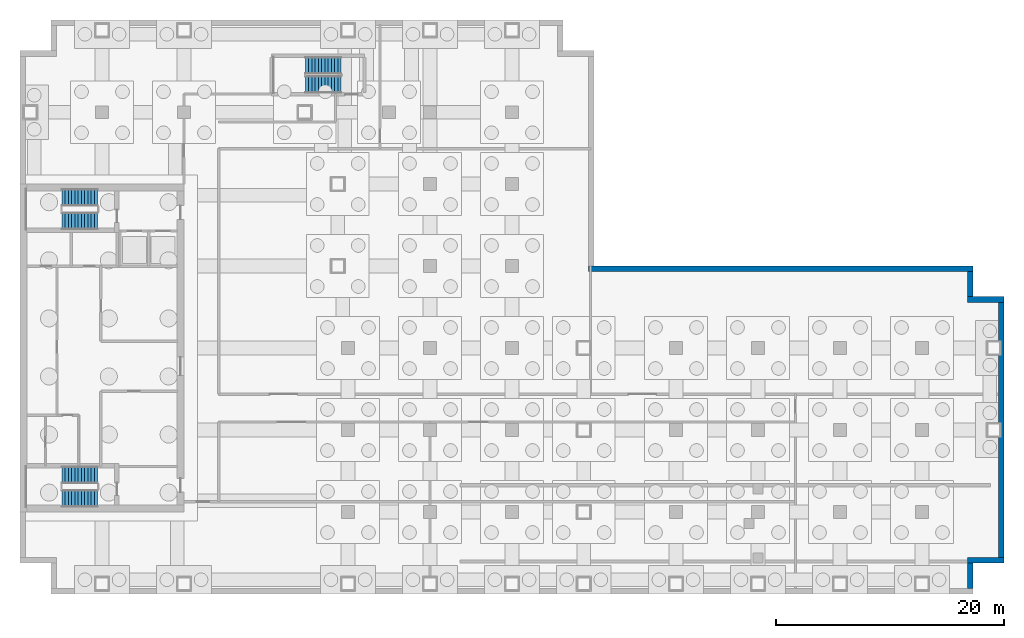
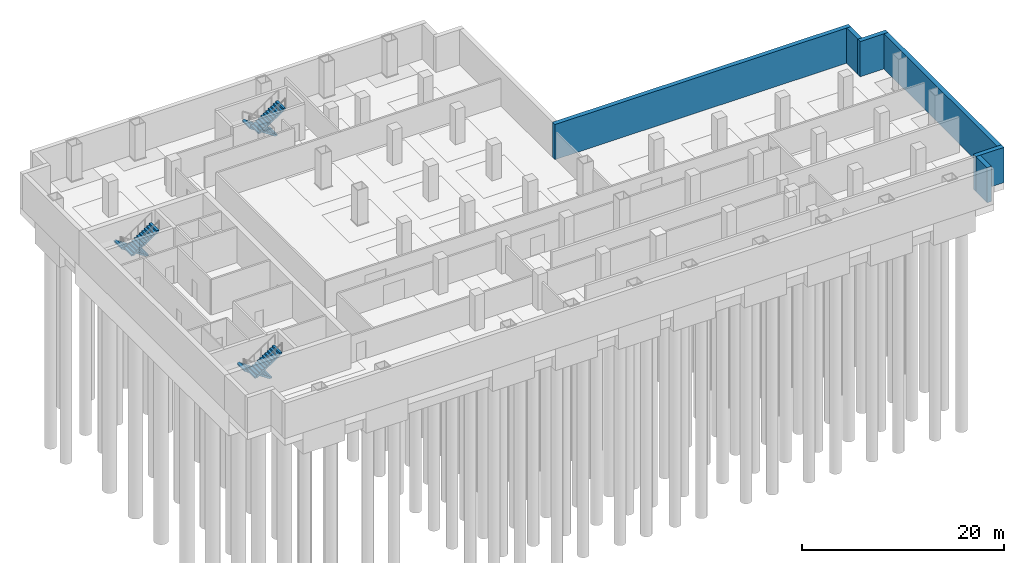
# One storey, part 8 of 11: 6 stair flights, 6 walls, 3 elements without a shape of their own.
"""IFC4 building model written with IfcOpenShell, lengths in metres."""

from ifc_helpers import new_model, si_unit, direction, frame, frame_2d, origin, place, context, subcontext, project, spatial, polyline, rectangle, outline, extrude, material, layer, layer_set, type_object, element, aggregate, save


model = new_model("IFC4")

# Units and contexts
model_context = context("Model", 3, precision=1e-05, world=origin(), true_north=direction((0.0, 1.0)))
body_context = subcontext(model_context, "Body", "Model", "MODEL_VIEW")
ifc_project = project(units=[si_unit("LENGTHUNIT", "METRE"), si_unit("AREAUNIT", "SQUARE_METRE"), si_unit("VOLUMEUNIT", "CUBIC_METRE"), si_unit("PLANEANGLEUNIT", "RADIAN"), si_unit("MASSUNIT", "GRAM", prefix="KILO")], contexts=[model_context])

# Site, building, storey
site_placement = place(None, origin())
site = spatial("IfcSite", under=ifc_project, at=site_placement, CompositionType="ELEMENT")
building_placement = place(site_placement, origin())
building = spatial("IfcBuilding", under=site, at=building_placement, Name="Cobrela Telecom Tower", CompositionType="ELEMENT")
storey_placement = place(building_placement, frame((0.0, 0.0, -9.10009765625)))
storey = spatial("IfcBuildingStorey", under=building, at=storey_placement, Name="B2", CompositionType="ELEMENT", Elevation=-9.10009765625)

# Walls
ifc_material = material(Name="Concrete C40/50", Category="concrete")
ifc_layer = layer(ifc_material, 0.5)
ifc_layer_set = layer_set([ifc_layer], Name="Concrete C40/50")
wall_type = type_object("IfcWallType", Name="WALL-RET-C40-500", PredefinedType="SOLIDWALL", material=ifc_layer_set)
wall_1_placement = place(storey_placement, frame((49.89990234375, 28.550048828125, 0.0), z_axis=(0.0, 0.0, 1.0), x_axis=(1.0, 0.0, 0.0)))
element("IfcWall", 1, at=wall_1_placement, inside=storey, type_object=wall_type, Name="B2 Basement Retaining Wall 10", PredefinedType="SOLIDWALL", context=body_context, shape_type="SweptSolid", body=[
    extrude(rectangle(XDim=33.800048828125, YDim=0.5, at=frame_2d((16.89990234375, 0.0))), origin(), (0.0, 0.0, 1.0), 4.25),
])
wall_2_placement = place(storey_placement, frame((83.449951171875, 28.300048828125, 0.0), z_axis=(0.0, 0.0, 1.0), x_axis=(0.0, -1.0, 0.0)))
element("IfcWall", 2, at=wall_2_placement, inside=storey, type_object=wall_type, Name="B2 Basement Retaining Wall 11", PredefinedType="SOLIDWALL", context=body_context, shape_type="SweptSolid", body=[
    extrude(rectangle(XDim=2.199951171875, YDim=0.5, at=frame_2d((1.10009765625, 0.0))), origin(), (0.0, 0.0, 1.0), 4.25),
])
wall_3_placement = place(storey_placement, frame((83.199951171875, 25.85009765625, 0.0), z_axis=(0.0, 0.0, 1.0), x_axis=(1.0, 0.0, 0.0)))
element("IfcWall", 3, at=wall_3_placement, inside=storey, type_object=wall_type, Name="B2 Basement Retaining Wall 12", PredefinedType="SOLIDWALL", context=body_context, shape_type="SweptSolid", body=[
    extrude(rectangle(XDim=3.199951171875, YDim=0.5, at=frame_2d((1.60009765625, 0.0))), origin(), (0.0, 0.0, 1.0), 4.25),
])
wall_4_placement = place(storey_placement, frame((86.14990234375, 25.60009765625, 0.0), z_axis=(0.0, 0.0, 1.0), x_axis=(0.0, -1.0, 0.0)))
element("IfcWall", 4, at=wall_4_placement, inside=storey, type_object=wall_type, Name="B2 Basement Retaining Wall 13", PredefinedType="SOLIDWALL", context=body_context, shape_type="SweptSolid", body=[
    extrude(rectangle(XDim=22.400146484375, YDim=0.5, at=frame_2d((11.2001953125, 0.0))), origin(), (0.0, 0.0, 1.0), 4.25),
])
wall_5_placement = place(storey_placement, frame((86.39990234375, 2.949951171875, 0.0), z_axis=(0.0, 0.0, 1.0), x_axis=(-1.0, 0.0, 0.0)))
element("IfcWall", 5, at=wall_5_placement, inside=storey, type_object=wall_type, Name="B2 Basement Retaining Wall 14", PredefinedType="SOLIDWALL", context=body_context, shape_type="SweptSolid", body=[
    extrude(rectangle(XDim=3.199951171875, YDim=0.5, at=frame_2d((1.60009765625, 0.0))), origin(), (0.0, 0.0, 1.0), 4.25),
])
wall_6_placement = place(storey_placement, frame((83.449951171875, 2.699951171875, 0.0), z_axis=(0.0, 0.0, 1.0), x_axis=(0.0, -1.0, 0.0)))
element("IfcWall", 6, at=wall_6_placement, inside=storey, type_object=wall_type, Name="B2 Basement Retaining Wall 15", PredefinedType="SOLIDWALL", context=body_context, shape_type="SweptSolid", body=[
    extrude(rectangle(XDim=2.199951171875, YDim=0.5, at=frame_2d((1.10009765625, 0.0))), origin(), (0.0, 0.0, 1.0), 4.25),
])

# Stair, stair flights
stair_type = type_object("IfcStairType", Name="STAIR-CORE", PredefinedType="HALF_TURN_STAIR", material=ifc_material)
stair_1_placement = place(storey_placement, origin())
stair_1 = element("IfcStair", 7, at=stair_1_placement, inside=storey, type_object=stair_type, Name="B2 Smokeproof Exit Stair ST1", PredefinedType="HALF_TURN_STAIR")
stair_flight_type = type_object("IfcStairFlightType", Name="FLIGHT-CORE", PredefinedType="STRAIGHT", material=ifc_material)
stair_flight_1_placement = place(storey_placement, frame((6.820068359375, 34.800048828125, 0.0), z_axis=(0.0, 0.0, 1.0), x_axis=(-1.0, 0.0, 0.0)))
stair_flight_1 = element("IfcStairFlight", 8, at=stair_flight_1_placement, type_object=stair_flight_type, Name="ST1 flight 1", NumberOfRisers=12, NumberOfTreads=11, PredefinedType="STRAIGHT", RiserHeight=0.189583333, TreadLength=0.285, context=body_context, shape_type="SweptSolid", body=[
    extrude(outline(polyline([(0.0, 0.0), (0.0, 0.189697265625), (0.284912109375, 0.189697265625), (0.284912109375, 0.379150390625), (0.570068359375, 0.379150390625), (0.570068359375, 0.56884765625), (0.85498046875, 0.56884765625), (0.85498046875, 0.75830078125), (1.139892578125, 0.75830078125), (1.139892578125, 0.947998046875), (1.425048828125, 0.947998046875), (1.425048828125, 1.137451171875), (1.7099609375, 1.137451171875), (1.7099609375, 1.3271484375), (1.9951171875, 1.3271484375), (1.9951171875, 1.5166015625), (2.280029296875, 1.5166015625), (2.280029296875, 1.706298828125), (2.56494140625, 1.706298828125), (2.56494140625, 1.895751953125), (2.85009765625, 1.895751953125), (2.85009765625, 2.08544921875), (3.135009765625, 2.08544921875), (3.135009765625, 2.27490234375), (3.135009765625, 1.9052734375), (0.270751953125, 0.0), (0.0, 0.0)])), frame((0.0, 0.75, 0.0), z_axis=(0.0, -1.0, 0.0), x_axis=(1.0, 0.0, 0.0)), (0.0, 0.0, 1.0), 1.5),
])
stair_flight_2_placement = place(storey_placement, frame((3.68505859375, 32.75, 2.275146484375), z_axis=(0.0, 0.0, 1.0), x_axis=(1.0, 0.0, 0.0)))
stair_flight_2 = element("IfcStairFlight", 9, at=stair_flight_2_placement, type_object=stair_flight_type, Name="ST1 flight 2", NumberOfRisers=12, NumberOfTreads=11, PredefinedType="STRAIGHT", RiserHeight=0.189583333, TreadLength=0.285, context=body_context, shape_type="SweptSolid", body=[
    extrude(outline(polyline([(0.0, 0.0), (0.0, 0.189697265625), (0.284912109375, 0.189697265625), (0.284912109375, 0.379150390625), (0.570068359375, 0.379150390625), (0.570068359375, 0.56884765625), (0.85498046875, 0.56884765625), (0.85498046875, 0.75830078125), (1.139892578125, 0.75830078125), (1.139892578125, 0.947998046875), (1.425048828125, 0.947998046875), (1.425048828125, 1.137451171875), (1.7099609375, 1.137451171875), (1.7099609375, 1.3271484375), (1.9951171875, 1.3271484375), (1.9951171875, 1.5166015625), (2.280029296875, 1.5166015625), (2.280029296875, 1.706298828125), (2.56494140625, 1.706298828125), (2.56494140625, 1.895751953125), (2.85009765625, 1.895751953125), (2.85009765625, 2.08544921875), (3.135009765625, 2.08544921875), (3.135009765625, 2.27490234375), (3.135009765625, 1.9052734375), (0.270751953125, 0.0), (0.0, 0.0)])), frame((0.0, 0.75, 0.0), z_axis=(0.0, -1.0, 0.0), x_axis=(1.0, 0.0, 0.0)), (0.0, 0.0, 1.0), 1.5),
])
aggregate(stair_1, [stair_flight_1, stair_flight_2])

stair_2_placement = place(storey_placement, origin())
stair_2 = element("IfcStair", 10, at=stair_2_placement, inside=storey, type_object=stair_type, Name="B2 Smokeproof Exit Stair ST2", PredefinedType="HALF_TURN_STAIR")
stair_flight_3_placement = place(storey_placement, frame((6.820068359375, 10.449951171875, 0.0), z_axis=(0.0, 0.0, 1.0), x_axis=(-1.0, 0.0, 0.0)))
stair_flight_3 = element("IfcStairFlight", 11, at=stair_flight_3_placement, type_object=stair_flight_type, Name="ST2 flight 1", NumberOfRisers=12, NumberOfTreads=11, PredefinedType="STRAIGHT", RiserHeight=0.189583333, TreadLength=0.285, context=body_context, shape_type="SweptSolid", body=[
    extrude(outline(polyline([(0.0, 0.0), (0.0, 0.189697265625), (0.284912109375, 0.189697265625), (0.284912109375, 0.379150390625), (0.570068359375, 0.379150390625), (0.570068359375, 0.56884765625), (0.85498046875, 0.56884765625), (0.85498046875, 0.75830078125), (1.139892578125, 0.75830078125), (1.139892578125, 0.947998046875), (1.425048828125, 0.947998046875), (1.425048828125, 1.137451171875), (1.7099609375, 1.137451171875), (1.7099609375, 1.3271484375), (1.9951171875, 1.3271484375), (1.9951171875, 1.5166015625), (2.280029296875, 1.5166015625), (2.280029296875, 1.706298828125), (2.56494140625, 1.706298828125), (2.56494140625, 1.895751953125), (2.85009765625, 1.895751953125), (2.85009765625, 2.08544921875), (3.135009765625, 2.08544921875), (3.135009765625, 2.27490234375), (3.135009765625, 1.9052734375), (0.270751953125, 0.0), (0.0, 0.0)])), frame((0.0, 0.75, 0.0), z_axis=(0.0, -1.0, 0.0), x_axis=(1.0, 0.0, 0.0)), (0.0, 0.0, 1.0), 1.5),
])
stair_flight_4_placement = place(storey_placement, frame((3.68505859375, 8.39990234375, 2.275146484375), z_axis=(0.0, 0.0, 1.0), x_axis=(1.0, 0.0, 0.0)))
stair_flight_4 = element("IfcStairFlight", 12, at=stair_flight_4_placement, type_object=stair_flight_type, Name="ST2 flight 2", NumberOfRisers=12, NumberOfTreads=11, PredefinedType="STRAIGHT", RiserHeight=0.189583333, TreadLength=0.285, context=body_context, shape_type="SweptSolid", body=[
    extrude(outline(polyline([(0.0, 0.0), (0.0, 0.189697265625), (0.284912109375, 0.189697265625), (0.284912109375, 0.379150390625), (0.570068359375, 0.379150390625), (0.570068359375, 0.56884765625), (0.85498046875, 0.56884765625), (0.85498046875, 0.75830078125), (1.139892578125, 0.75830078125), (1.139892578125, 0.947998046875), (1.425048828125, 0.947998046875), (1.425048828125, 1.137451171875), (1.7099609375, 1.137451171875), (1.7099609375, 1.3271484375), (1.9951171875, 1.3271484375), (1.9951171875, 1.5166015625), (2.280029296875, 1.5166015625), (2.280029296875, 1.706298828125), (2.56494140625, 1.706298828125), (2.56494140625, 1.895751953125), (2.85009765625, 1.895751953125), (2.85009765625, 2.08544921875), (3.135009765625, 2.08544921875), (3.135009765625, 2.27490234375), (3.135009765625, 1.9052734375), (0.270751953125, 0.0), (0.0, 0.0)])), frame((0.0, 0.75, 0.0), z_axis=(0.0, -1.0, 0.0), x_axis=(1.0, 0.0, 0.0)), (0.0, 0.0, 1.0), 1.5),
])
aggregate(stair_2, [stair_flight_3, stair_flight_4])

stair_3_placement = place(storey_placement, origin())
stair_3 = element("IfcStair", 13, at=stair_3_placement, inside=storey, type_object=stair_type, Name="B2 Smokeproof Exit Stair ST3", PredefinedType="HALF_TURN_STAIR")
stair_flight_5_placement = place(storey_placement, frame((28.199951171875, 46.39990234375, 0.0), z_axis=(0.0, 0.0, 1.0), x_axis=(-1.0, 0.0, 0.0)))
stair_flight_5 = element("IfcStairFlight", 14, at=stair_flight_5_placement, type_object=stair_flight_type, Name="ST3 flight 1", NumberOfRisers=12, NumberOfTreads=11, PredefinedType="STRAIGHT", RiserHeight=0.189583333, TreadLength=0.285, context=body_context, shape_type="SweptSolid", body=[
    extrude(outline(polyline([(0.0, 0.0), (0.0, 0.189697265625), (0.284912109375, 0.189697265625), (0.284912109375, 0.379150390625), (0.570068359375, 0.379150390625), (0.570068359375, 0.56884765625), (0.85498046875, 0.56884765625), (0.85498046875, 0.75830078125), (1.139892578125, 0.75830078125), (1.139892578125, 0.947998046875), (1.425048828125, 0.947998046875), (1.425048828125, 1.137451171875), (1.7099609375, 1.137451171875), (1.7099609375, 1.3271484375), (1.9951171875, 1.3271484375), (1.9951171875, 1.5166015625), (2.280029296875, 1.5166015625), (2.280029296875, 1.706298828125), (2.56494140625, 1.706298828125), (2.56494140625, 1.895751953125), (2.85009765625, 1.895751953125), (2.85009765625, 2.08544921875), (3.135009765625, 2.08544921875), (3.135009765625, 2.27490234375), (3.135009765625, 1.9052734375), (0.270751953125, 0.0), (0.0, 0.0)])), frame((0.0, 0.75, 0.0), z_axis=(0.0, -1.0, 0.0), x_axis=(1.0, 0.0, 0.0)), (0.0, 0.0, 1.0), 1.5),
])
stair_flight_6_placement = place(storey_placement, frame((25.06494140625, 44.75, 2.275146484375), z_axis=(0.0, 0.0, 1.0), x_axis=(1.0, 0.0, 0.0)))
stair_flight_6 = element("IfcStairFlight", 15, at=stair_flight_6_placement, type_object=stair_flight_type, Name="ST3 flight 2", NumberOfRisers=12, NumberOfTreads=11, PredefinedType="STRAIGHT", RiserHeight=0.189583333, TreadLength=0.285, context=body_context, shape_type="SweptSolid", body=[
    extrude(outline(polyline([(0.0, 0.0), (0.0, 0.189697265625), (0.284912109375, 0.189697265625), (0.284912109375, 0.379150390625), (0.570068359375, 0.379150390625), (0.570068359375, 0.56884765625), (0.85498046875, 0.56884765625), (0.85498046875, 0.75830078125), (1.139892578125, 0.75830078125), (1.139892578125, 0.947998046875), (1.425048828125, 0.947998046875), (1.425048828125, 1.137451171875), (1.7099609375, 1.137451171875), (1.7099609375, 1.3271484375), (1.9951171875, 1.3271484375), (1.9951171875, 1.5166015625), (2.280029296875, 1.5166015625), (2.280029296875, 1.706298828125), (2.56494140625, 1.706298828125), (2.56494140625, 1.895751953125), (2.85009765625, 1.895751953125), (2.85009765625, 2.08544921875), (3.135009765625, 2.08544921875), (3.135009765625, 2.27490234375), (3.135009765625, 1.9052734375), (0.270751953125, 0.0), (0.0, 0.0)])), frame((0.0, 0.75, 0.0), z_axis=(0.0, -1.0, 0.0), x_axis=(1.0, 0.0, 0.0)), (0.0, 0.0, 1.0), 1.5),
])
aggregate(stair_3, [stair_flight_5, stair_flight_6])

save(model, "model.ifc")
